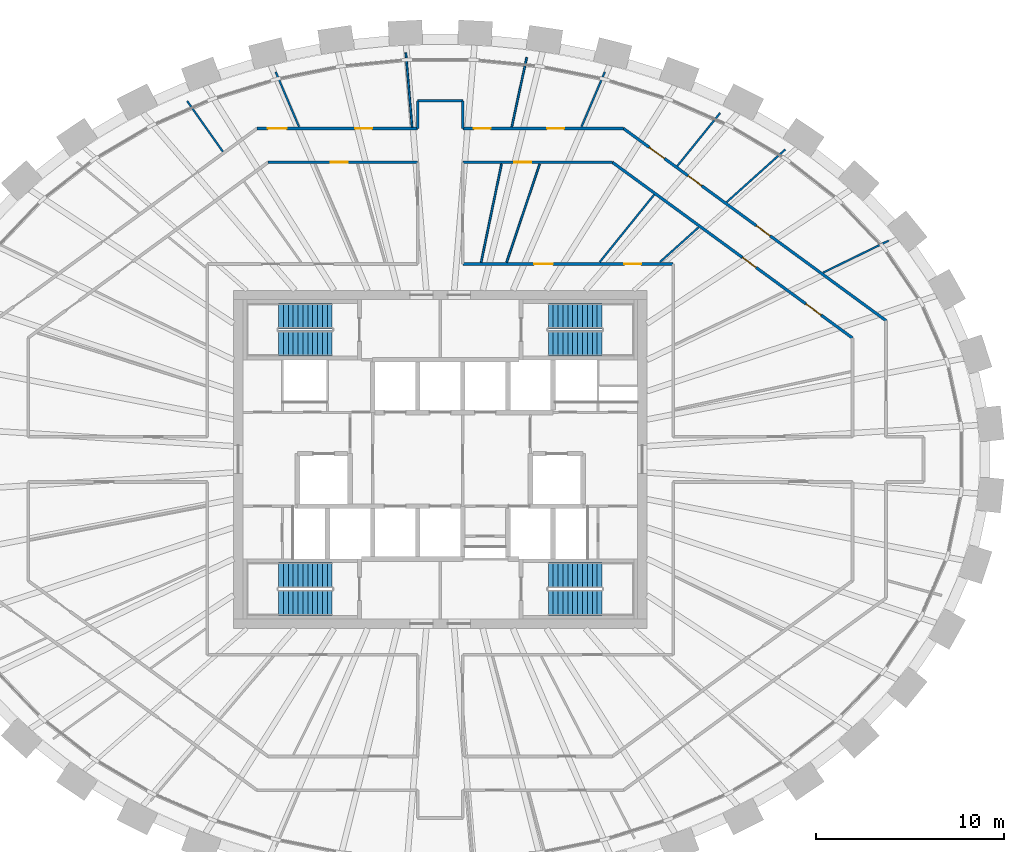
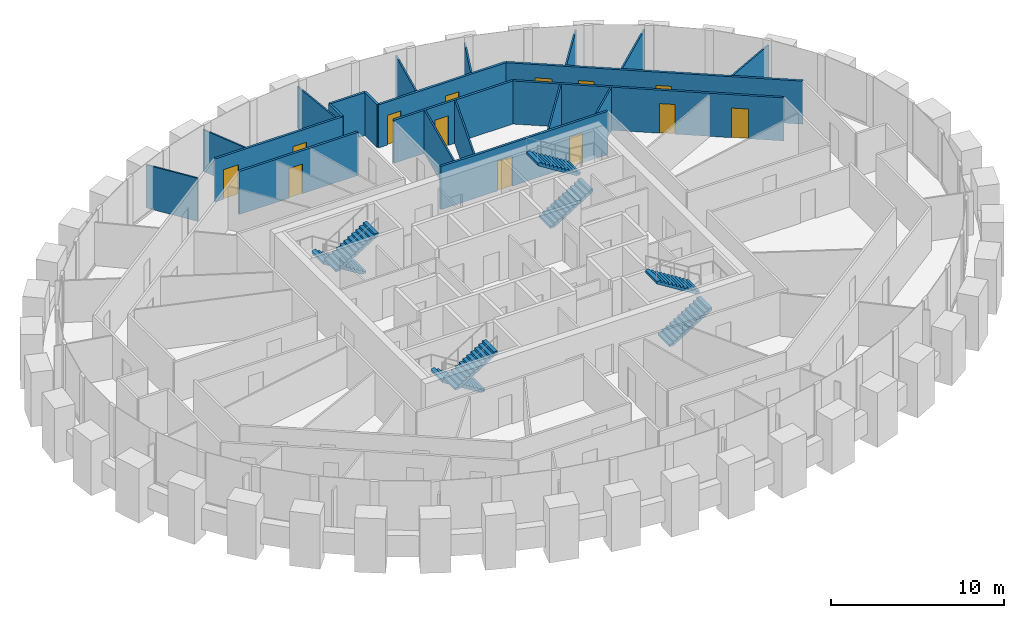
# One storey, part 10 of 11: 22 walls, 13 doors, 8 stair flights, 13 openings, 4 elements without a shape of their own.
"""IFC4 building model written with IfcOpenShell, lengths in metres."""

from ifc_helpers import new_model, si_unit, direction, frame, frame_2d, origin, place, context, subcontext, project, spatial, polyline, rectangle, outline, extrude, source, transform, mapped, material, layer, layer_set, type_object, element, fill, aggregate, save


model = new_model("IFC4")

# Units and contexts
model_context = context("Model", 3, precision=1e-05, world=origin(), true_north=direction((0.0, 1.0)))
body_context = subcontext(model_context, "Body", "Model", "MODEL_VIEW")
ifc_project = project(units=[si_unit("LENGTHUNIT", "METRE"), si_unit("AREAUNIT", "SQUARE_METRE"), si_unit("VOLUMEUNIT", "CUBIC_METRE"), si_unit("PLANEANGLEUNIT", "RADIAN"), si_unit("MASSUNIT", "GRAM", prefix="KILO")], contexts=[model_context])

# Site, building, storey
site_placement = place(None, origin())
site = spatial("IfcSite", under=ifc_project, at=site_placement, CompositionType="ELEMENT")
building_placement = place(site_placement, origin())
building = spatial("IfcBuilding", under=site, at=building_placement, Name="Embergate Tower", CompositionType="ELEMENT")
storey_placement = place(building_placement, frame((0.0, 0.0, 328.60009765625)))
storey = spatial("IfcBuildingStorey", under=building, at=storey_placement, Name="L77", CompositionType="ELEMENT", Elevation=328.60009765625)

# Wall, openings, doors
ifc_material_1 = material(Name="Corridor wall dry-lined 150")
ifc_layer_1 = layer(ifc_material_1, 0.14990234375)
ifc_layer_set_1 = layer_set([ifc_layer_1], Name="Corridor wall dry-lined 150")
wall_type_1 = type_object("IfcWallType", Name="Corridor wall dry-lined 150", PredefinedType="PARTITIONING", material=ifc_layer_set_1)
shared_shape_1 = source(origin(), body_context, "Body", "SweptSolid", [
    extrude(rectangle(XDim=17.3251953125, YDim=0.14990234375, at=frame_2d((8.66259765625, 0.0))), origin(), (0.0, 0.0, 1.0), 3.0498046875),
])
wall_1_placement = place(storey_placement, frame((9.751953125, 17.611083984375, 0.0), z_axis=(0.0, 0.0, 1.0), x_axis=(0.806969554432, -0.590593039427, 0.0)))
wall_1 = element("IfcWall", 1, at=wall_1_placement, inside=storey, type_object=wall_type_1, Name="IP-2 wall", PredefinedType="PARTITIONING", context=body_context, shape_type="MappedRepresentation", body=[
    mapped(shared_shape_1, transform((0.0, 0.0, 0.0))),
])
shared_shape_2 = source(origin(), body_context, "Body", "SweptSolid", [
    extrude(rectangle(XDim=0.89990234375, YDim=2.10009765625, at=frame_2d((0.449951171875, 1.050048828125))), frame((0.0, 0.0849609375, 0.0), z_axis=(0.0, -1.0, 0.0), x_axis=(1.0, 0.0, 0.0)), (0.0, 0.0, 1.0), 0.169921875),
])
opening_1_placement = place(wall_1_placement, frame((8.767578125, 0.0, 0.0)))
opening_1 = element("IfcOpeningElement", 2, at=opening_1_placement, cuts=wall_1, Name="Opening IF-1c", PredefinedType="OPENING", context=body_context, shape_type="MappedRepresentation", body=[
    mapped(shared_shape_2, transform((0.0, 0.0, 0.0))),
])
opening_2_placement = place(wall_1_placement, frame((4.255615234375, 0.0, 0.0)))
opening_2 = element("IfcOpeningElement", 3, at=opening_2_placement, cuts=wall_1, Name="Opening IF-1c", PredefinedType="OPENING", context=body_context, shape_type="MappedRepresentation", body=[
    mapped(shared_shape_2, transform((0.0, 0.0, 0.0))),
])
shared_shape_3 = source(origin(), body_context, "Body", "SweptSolid", [
    extrude(rectangle(XDim=1.0, YDim=2.10009765625, at=frame_2d((0.5, 1.050048828125))), frame((0.0, 0.0849609375, 0.0), z_axis=(0.0, -1.0, 0.0), x_axis=(1.0, 0.0, 0.0)), (0.0, 0.0, 1.0), 0.169921875),
])
opening_3_placement = place(wall_1_placement, frame((1.69970703125, 0.0, 0.0)))
opening_3 = element("IfcOpeningElement", 4, at=opening_3_placement, cuts=wall_1, Name="Opening ID-2", PredefinedType="OPENING", context=body_context, shape_type="MappedRepresentation", body=[
    mapped(shared_shape_3, transform((0.0, 0.0, 0.0))),
])
ifc_material_2 = material(Name="Escape fire door 900")
door_type_1 = type_object("IfcDoorType", Name="Escape fire door 900", OperationType="SINGLE_SWING_LEFT", PredefinedType="DOOR", material=ifc_material_2)
shared_shape_4 = source(origin(), body_context, "Body", "SweptSolid", [
    extrude(rectangle(XDim=0.89990234375, YDim=2.10009765625, at=frame_2d((0.449951171875, 1.050048828125))), frame((0.0, 0.02490234375, 0.0), z_axis=(0.0, -1.0, 0.0), x_axis=(1.0, 0.0, 0.0)), (0.0, 0.0, 1.0), 0.050048828125),
])
door_1_placement = place(opening_1_placement, origin())
door_1 = element("IfcDoor", 5, at=door_1_placement, inside=storey, type_object=door_type_1, Name="IF-1 door", OperationType="SINGLE_SWING_LEFT", OverallHeight=2.10009765625, OverallWidth=0.89990234375, PredefinedType="DOOR", context=body_context, shape_type="MappedRepresentation", body=[
    mapped(shared_shape_4, transform((0.0, 0.0, 0.0))),
])
fill(opening_1, door_1)
door_2_placement = place(opening_2_placement, origin())
door_2 = element("IfcDoor", 6, at=door_2_placement, inside=storey, type_object=door_type_1, Name="IF-1 door", OperationType="SINGLE_SWING_LEFT", OverallHeight=2.10009765625, OverallWidth=0.89990234375, PredefinedType="DOOR", context=body_context, shape_type="MappedRepresentation", body=[
    mapped(shared_shape_4, transform((0.0, 0.0, 0.0))),
])
fill(opening_2, door_2)
ifc_material_3 = material(Name="Interior door 1000")
door_type_2 = type_object("IfcDoorType", Name="Interior door 1000", OperationType="SINGLE_SWING_LEFT", PredefinedType="DOOR", material=ifc_material_3)
shared_shape_5 = source(origin(), body_context, "Body", "SweptSolid", [
    extrude(rectangle(XDim=1.0, YDim=2.10009765625, at=frame_2d((0.5, 1.050048828125))), frame((0.0, 0.02490234375, 0.0), z_axis=(0.0, -1.0, 0.0), x_axis=(1.0, 0.0, 0.0)), (0.0, 0.0, 1.0), 0.050048828125),
])
door_3_placement = place(opening_3_placement, origin())
door_3 = element("IfcDoor", 7, at=door_3_placement, inside=storey, type_object=door_type_2, Name="ID-2 door", OperationType="SINGLE_SWING_LEFT", OverallHeight=2.10009765625, OverallWidth=1.0, PredefinedType="DOOR", context=body_context, shape_type="MappedRepresentation", body=[
    mapped(shared_shape_5, transform((0.0, 0.0, 0.0))),
])
fill(opening_3, door_3)

shared_shape_6 = source(origin(), body_context, "Body", "SweptSolid", [
    extrude(rectangle(XDim=15.82470703125, YDim=0.14990234375, at=frame_2d((7.912353515625, 0.0))), origin(), (0.0, 0.0, 1.0), 3.0498046875),
])
wall_2_placement = place(storey_placement, frame((9.1630859375, 15.81103515625, 0.0), z_axis=(0.0, 0.0, 1.0), x_axis=(0.80696917181, -0.590593562231, 0.0)))
wall_2 = element("IfcWall", 8, at=wall_2_placement, inside=storey, type_object=wall_type_1, Name="IP-2 wall", PredefinedType="PARTITIONING", context=body_context, shape_type="MappedRepresentation", body=[
    mapped(shared_shape_6, transform((0.0, 0.0, 0.0))),
])
opening_4_placement = place(wall_2_placement, frame((12.764892578125, 0.0, 0.0)))
opening_4 = element("IfcOpeningElement", 9, at=opening_4_placement, cuts=wall_2, Name="Opening ID-2", PredefinedType="OPENING", context=body_context, shape_type="MappedRepresentation", body=[
    mapped(shared_shape_3, transform((0.0, 0.0, 0.0))),
])
opening_5_placement = place(wall_2_placement, frame((8.576904296875, 0.0, 0.0)))
opening_5 = element("IfcOpeningElement", 10, at=opening_5_placement, cuts=wall_2, Name="Opening IF-1c", PredefinedType="OPENING", context=body_context, shape_type="MappedRepresentation", body=[
    mapped(shared_shape_2, transform((0.0, 0.0, 0.0))),
])
door_4_placement = place(opening_5_placement, origin())
door_4 = element("IfcDoor", 11, at=door_4_placement, inside=storey, type_object=door_type_1, Name="IF-1 door", OperationType="SINGLE_SWING_LEFT", OverallHeight=2.10009765625, OverallWidth=0.89990234375, PredefinedType="DOOR", context=body_context, shape_type="MappedRepresentation", body=[
    mapped(shared_shape_4, transform((0.0, 0.0, 0.0))),
])
fill(opening_5, door_4)
door_5_placement = place(opening_4_placement, origin())
door_5 = element("IfcDoor", 12, at=door_5_placement, inside=storey, type_object=door_type_2, Name="ID-2 door", OperationType="SINGLE_SWING_RIGHT", OverallHeight=2.10009765625, OverallWidth=1.0, PredefinedType="DOOR", context=body_context, shape_type="MappedRepresentation", body=[
    mapped(shared_shape_5, transform((0.0, 0.0, 0.0))),
])
fill(opening_4, door_5)

shared_shape_7 = source(origin(), body_context, "Body", "SweptSolid", [
    extrude(rectangle(XDim=11.199951171875, YDim=0.14990234375, at=frame_2d((5.60009765625, 0.0))), origin(), (0.0, 0.0, 1.0), 3.0498046875),
])
wall_3_placement = place(storey_placement, frame((12.39990234375, 10.39990234375, 0.0), z_axis=(0.0, 0.0, 1.0), x_axis=(-1.0, 0.0, 0.0)))
wall_3 = element("IfcWall", 13, at=wall_3_placement, inside=storey, type_object=wall_type_1, Name="IP-2 wall", PredefinedType="PARTITIONING", context=body_context, shape_type="MappedRepresentation", body=[
    mapped(shared_shape_7, transform((0.0, 0.0, 0.0))),
])
opening_6_placement = place(wall_3_placement, frame((1.705078125, 0.0, 0.0)))
opening_6 = element("IfcOpeningElement", 14, at=opening_6_placement, cuts=wall_3, Name="Opening IF-1c", PredefinedType="OPENING", context=body_context, shape_type="MappedRepresentation", body=[
    mapped(shared_shape_2, transform((0.0, 0.0, 0.0))),
])
opening_7_placement = place(wall_3_placement, frame((6.410888671875, 0.0, 0.0)))
opening_7 = element("IfcOpeningElement", 15, at=opening_7_placement, cuts=wall_3, Name="Opening ID-2", PredefinedType="OPENING", context=body_context, shape_type="MappedRepresentation", body=[
    mapped(shared_shape_3, transform((0.0, 0.0, 0.0))),
])
door_6_placement = place(opening_6_placement, origin())
door_6 = element("IfcDoor", 16, at=door_6_placement, inside=storey, type_object=door_type_1, Name="IF-1 door", OperationType="SINGLE_SWING_RIGHT", OverallHeight=2.10009765625, OverallWidth=0.89990234375, PredefinedType="DOOR", context=body_context, shape_type="MappedRepresentation", body=[
    mapped(shared_shape_4, transform((0.0, 0.0, 0.0))),
])
fill(opening_6, door_6)
door_7_placement = place(opening_7_placement, origin())
door_7 = element("IfcDoor", 17, at=door_7_placement, inside=storey, type_object=door_type_2, Name="ID-2 door", OperationType="SINGLE_SWING_RIGHT", OverallHeight=2.10009765625, OverallWidth=1.0, PredefinedType="DOOR", context=body_context, shape_type="MappedRepresentation", body=[
    mapped(shared_shape_5, transform((0.0, 0.0, 0.0))),
])
fill(opening_7, door_7)

shared_shape_8 = source(origin(), body_context, "Body", "SweptSolid", [
    extrude(rectangle(XDim=8.552001953125, YDim=0.14990234375, at=frame_2d((4.27587890625, 0.0))), origin(), (0.0, 0.0, 1.0), 3.0498046875),
])
wall_4_placement = place(storey_placement, frame((9.751953125, 17.611083984375, 0.0), z_axis=(0.0, 0.0, 1.0), x_axis=(-1.0, 0.0, 0.0)))
wall_4 = element("IfcWall", 18, at=wall_4_placement, inside=storey, type_object=wall_type_1, Name="IP-2 wall", PredefinedType="PARTITIONING", context=body_context, shape_type="MappedRepresentation", body=[
    mapped(shared_shape_8, transform((0.0, 0.0, 0.0))),
])
opening_8_placement = place(wall_4_placement, frame((3.163818359375, 0.0, 0.0)))
opening_8 = element("IfcOpeningElement", 19, at=opening_8_placement, cuts=wall_4, Name="Opening IF-1c", PredefinedType="OPENING", context=body_context, shape_type="MappedRepresentation", body=[
    mapped(shared_shape_2, transform((0.0, 0.0, 0.0))),
])
opening_9_placement = place(wall_4_placement, frame((7.06884765625, 0.0, 0.0)))
opening_9 = element("IfcOpeningElement", 20, at=opening_9_placement, cuts=wall_4, Name="Opening IF-1c", PredefinedType="OPENING", context=body_context, shape_type="MappedRepresentation", body=[
    mapped(shared_shape_2, transform((0.0, 0.0, 0.0))),
])
door_8_placement = place(opening_8_placement, origin())
door_8 = element("IfcDoor", 21, at=door_8_placement, inside=storey, type_object=door_type_1, Name="IF-1 door", OperationType="SINGLE_SWING_RIGHT", OverallHeight=2.10009765625, OverallWidth=0.89990234375, PredefinedType="DOOR", context=body_context, shape_type="MappedRepresentation", body=[
    mapped(shared_shape_4, transform((0.0, 0.0, 0.0))),
])
fill(opening_8, door_8)
door_9_placement = place(opening_9_placement, origin())
door_9 = element("IfcDoor", 22, at=door_9_placement, inside=storey, type_object=door_type_1, Name="IF-1 door", OperationType="SINGLE_SWING_RIGHT", OverallHeight=2.10009765625, OverallWidth=0.89990234375, PredefinedType="DOOR", context=body_context, shape_type="MappedRepresentation", body=[
    mapped(shared_shape_4, transform((0.0, 0.0, 0.0))),
])
fill(opening_9, door_9)

ifc_material_4 = material(Name="Corridor wall dry-lined 150 wet")
ifc_layer_2 = layer(ifc_material_4, 0.14990234375)
ifc_layer_set_2 = layer_set([ifc_layer_2], Name="Corridor wall dry-lined 150 wet")
wall_type_2 = type_object("IfcWallType", Name="Corridor wall dry-lined 150 wet", PredefinedType="PLUMBINGWALL", material=ifc_layer_set_2)
wall_5_placement = place(storey_placement, frame((-9.751953125, 17.611083984375, 0.0), z_axis=(0.0, 0.0, 1.0), x_axis=(1.0, 0.0, 0.0)))
wall_5 = element("IfcWall", 23, at=wall_5_placement, inside=storey, type_object=wall_type_2, Name="IP-2 wall", PredefinedType="PLUMBINGWALL", context=body_context, shape_type="MappedRepresentation", body=[
    mapped(shared_shape_8, transform((0.0, 0.0, 0.0))),
])
opening_10_placement = place(wall_5_placement, frame((5.2197265625, 0.0, 0.0)))
opening_10 = element("IfcOpeningElement", 24, at=opening_10_placement, cuts=wall_5, Name="Opening IF-1c", PredefinedType="OPENING", context=body_context, shape_type="MappedRepresentation", body=[
    mapped(shared_shape_2, transform((0.0, 0.0, 0.0))),
])
opening_11_placement = place(wall_5_placement, frame((0.576904296875, 0.0, 0.0)))
opening_11 = element("IfcOpeningElement", 25, at=opening_11_placement, cuts=wall_5, Name="Opening ID-2", PredefinedType="OPENING", context=body_context, shape_type="MappedRepresentation", body=[
    mapped(shared_shape_3, transform((0.0, 0.0, 0.0))),
])
door_10_placement = place(opening_10_placement, origin())
door_10 = element("IfcDoor", 26, at=door_10_placement, inside=storey, type_object=door_type_1, Name="IF-1 door", OperationType="SINGLE_SWING_LEFT", OverallHeight=2.10009765625, OverallWidth=0.89990234375, PredefinedType="DOOR", context=body_context, shape_type="MappedRepresentation", body=[
    mapped(shared_shape_4, transform((0.0, 0.0, 0.0))),
])
fill(opening_10, door_10)
door_11_placement = place(opening_11_placement, origin())
door_11 = element("IfcDoor", 27, at=door_11_placement, inside=storey, type_object=door_type_2, Name="ID-2 door", OperationType="SINGLE_SWING_RIGHT", OverallHeight=2.10009765625, OverallWidth=1.0, PredefinedType="DOOR", context=body_context, shape_type="MappedRepresentation", body=[
    mapped(shared_shape_5, transform((0.0, 0.0, 0.0))),
])
fill(opening_11, door_11)

# Walls
shared_shape_9 = source(origin(), body_context, "Body", "SweptSolid", [
    extrude(rectangle(XDim=1.476806640625, YDim=0.14990234375, at=frame_2d((0.73828125, 0.0))), origin(), (0.0, 0.0, 1.0), 3.0498046875),
])
for number, where, z_axis, x_axis, name in (
    (28, (-1.199951171875, 17.611083984375, 0.0), (0.0, 0.0, 1.0), (0.0, 1.0, 0.0), "IP-2 wall"),
    (29, (1.199951171875, 19.087890625, 0.0), (0.0, 0.0, 1.0), (0.0, -1.0, 0.0), "IP-2 wall"),
):
    element("IfcWall", number, at=place(storey_placement, frame(where, z_axis=z_axis, x_axis=x_axis)), inside=storey, type_object=wall_type_2, Name=name, PredefinedType="PLUMBINGWALL", context=body_context, shape_type="MappedRepresentation", body=[
        mapped(shared_shape_9, transform((0.0, 0.0, 0.0))),
    ])
shared_shape_10 = source(origin(), body_context, "Body", "SweptSolid", [
    extrude(rectangle(XDim=2.39990234375, YDim=0.14990234375, at=frame_2d((1.199951171875, 0.0))), origin(), (0.0, 0.0, 1.0), 3.0498046875),
])
wall_6_placement = place(storey_placement, frame((-1.199951171875, 19.087890625, 0.0), z_axis=(0.0, 0.0, 1.0), x_axis=(1.0, 0.0, 0.0)))
element("IfcWall", 30, at=wall_6_placement, inside=storey, type_object=wall_type_2, Name="IP-2 wall", PredefinedType="PLUMBINGWALL", context=body_context, shape_type="MappedRepresentation", body=[
    mapped(shared_shape_10, transform((0.0, 0.0, 0.0))),
])

# Wall, opening, door
shared_shape_11 = source(origin(), body_context, "Body", "SweptSolid", [
    extrude(rectangle(XDim=7.963134765625, YDim=0.14990234375, at=frame_2d((3.9814453125, 0.0))), origin(), (0.0, 0.0, 1.0), 3.0498046875),
])
wall_7_placement = place(storey_placement, frame((1.199951171875, 15.81103515625, 0.0), z_axis=(0.0, 0.0, 1.0), x_axis=(1.0, 0.0, 0.0)))
wall_7 = element("IfcWall", 31, at=wall_7_placement, inside=storey, type_object=wall_type_1, Name="IP-2 wall", PredefinedType="PARTITIONING", context=body_context, shape_type="MappedRepresentation", body=[
    mapped(shared_shape_11, transform((0.0, 0.0, 0.0))),
])
opening_12_placement = place(wall_7_placement, frame((2.73095703125, 0.0, 0.0)))
opening_12 = element("IfcOpeningElement", 32, at=opening_12_placement, cuts=wall_7, Name="Opening IF-1c", PredefinedType="OPENING", context=body_context, shape_type="MappedRepresentation", body=[
    mapped(shared_shape_2, transform((0.0, 0.0, 0.0))),
])
door_12_placement = place(opening_12_placement, origin())
door_12 = element("IfcDoor", 33, at=door_12_placement, inside=storey, type_object=door_type_1, Name="IF-1 door", OperationType="SINGLE_SWING_LEFT", OverallHeight=2.10009765625, OverallWidth=0.89990234375, PredefinedType="DOOR", context=body_context, shape_type="MappedRepresentation", body=[
    mapped(shared_shape_4, transform((0.0, 0.0, 0.0))),
])
fill(opening_12, door_12)

wall_8_placement = place(storey_placement, frame((-1.199951171875, 15.81103515625, 0.0), z_axis=(0.0, 0.0, 1.0), x_axis=(-1.0, 0.0, 0.0)))
wall_8 = element("IfcWall", 34, at=wall_8_placement, inside=storey, type_object=wall_type_2, Name="IP-2 wall", PredefinedType="PLUMBINGWALL", context=body_context, shape_type="MappedRepresentation", body=[
    mapped(shared_shape_11, transform((0.0, 0.0, 0.0))),
])
opening_13_placement = place(wall_8_placement, frame((3.73193359375, 0.0, 0.0)))
opening_13 = element("IfcOpeningElement", 35, at=opening_13_placement, cuts=wall_8, Name="Opening IF-1c", PredefinedType="OPENING", context=body_context, shape_type="MappedRepresentation", body=[
    mapped(shared_shape_2, transform((0.0, 0.0, 0.0))),
])
door_13_placement = place(opening_13_placement, origin())
door_13 = element("IfcDoor", 36, at=door_13_placement, inside=storey, type_object=door_type_1, Name="IF-1 door", OperationType="SINGLE_SWING_RIGHT", OverallHeight=2.10009765625, OverallWidth=0.89990234375, PredefinedType="DOOR", context=body_context, shape_type="MappedRepresentation", body=[
    mapped(shared_shape_4, transform((0.0, 0.0, 0.0))),
])
fill(opening_13, door_13)

# Walls
ifc_material_5 = material(Name="Partition dry-lined 100")
ifc_layer_3 = layer(ifc_material_5, 0.10009765625)
ifc_layer_set_3 = layer_set([ifc_layer_3], Name="Partition dry-lined 100")
wall_type_3 = type_object("IfcWallType", Name="Partition dry-lined 100", PredefinedType="PARTITIONING", material=ifc_layer_set_3)
shared_shape_12 = source(origin(), body_context, "Body", "SweptSolid", [
    extrude(rectangle(XDim=3.877685546875, YDim=0.10009765625, at=frame_2d((1.93896484375, 0.0))), origin(), (0.0, 0.0, 1.0), 2.949951171875),
])
wall_9_placement = place(storey_placement, frame((20.389892578125, 9.947021484375, 0.0), z_axis=(0.0, 0.0, 1.0), x_axis=(0.898778732273, 0.438402543805, 0.0)))
element("IfcWall", 37, at=wall_9_placement, inside=storey, type_object=wall_type_3, Name="IP-1 wall", PredefinedType="PARTITIONING", context=body_context, shape_type="MappedRepresentation", body=[
    mapped(shared_shape_12, transform((0.0, 0.0, 0.0))),
])
shared_shape_13 = source(origin(), body_context, "Body", "SweptSolid", [
    extrude(rectangle(XDim=4.192138671875, YDim=0.10009765625, at=frame_2d((2.09619140625, 0.0))), origin(), (0.0, 0.0, 1.0), 3.0498046875),
])
wall_10_placement = place(storey_placement, frame((15.2470703125, 13.695068359375, 0.0), z_axis=(0.0, 0.0, 1.0), x_axis=(0.744003214363, 0.668176037447, 0.0)))
element("IfcWall", 38, at=wall_10_placement, inside=storey, type_object=wall_type_3, Name="IP-1 wall", PredefinedType="PARTITIONING", context=body_context, shape_type="MappedRepresentation", body=[
    mapped(shared_shape_13, transform((0.0, 0.0, 0.0))),
])
shared_shape_14 = source(origin(), body_context, "Body", "SweptSolid", [
    extrude(rectangle(XDim=3.6328125, YDim=0.10009765625, at=frame_2d((1.81640625, 0.0))), origin(), (0.0, 0.0, 1.0), 3.0498046875),
])
wall_11_placement = place(storey_placement, frame((12.613037109375, 15.610107421875, 0.0), z_axis=(0.0, 0.0, 1.0), x_axis=(0.628416881231, 0.777876740482, 0.0)))
element("IfcWall", 39, at=wall_11_placement, inside=storey, type_object=wall_type_3, Name="IP-1 wall", PredefinedType="PARTITIONING", context=body_context, shape_type="MappedRepresentation", body=[
    mapped(shared_shape_14, transform((0.0, 0.0, 0.0))),
])
ifc_material_6 = material(Name="Partition dry-lined 100 wet")
ifc_layer_4 = layer(ifc_material_6, 0.10009765625)
ifc_layer_set_4 = layer_set([ifc_layer_4], Name="Partition dry-lined 100 wet")
wall_type_4 = type_object("IfcWallType", Name="Partition dry-lined 100 wet", PredefinedType="PLUMBINGWALL", material=ifc_layer_set_4)
shared_shape_15 = source(origin(), body_context, "Body", "SweptSolid", [
    extrude(rectangle(XDim=3.1669921875, YDim=0.10009765625, at=frame_2d((1.58349609375, 0.0))), origin(), (0.0, 0.0, 1.0), 2.949951171875),
])
for number, where, z_axis, x_axis, name in (
    (40, (7.52099609375, 17.7060546875, 0.0), (0.0, 0.0, 1.0), (0.390912099154, 0.920428014967, 0.0), "IP-1 wall"),
    (41, (-8.759033203125, 20.62109375, 0.0), (0.0, 0.0, 1.0), (0.390912099154, -0.920428014967, 0.0), "IP-1 wall"),
):
    element("IfcWall", number, at=place(storey_placement, frame(where, z_axis=z_axis, x_axis=x_axis)), inside=storey, type_object=wall_type_4, Name=name, PredefinedType="PLUMBINGWALL", context=body_context, shape_type="MappedRepresentation", body=[
        mapped(shared_shape_15, transform((0.0, 0.0, 0.0))),
    ])
shared_shape_16 = source(origin(), body_context, "Body", "SweptSolid", [
    extrude(rectangle(XDim=2.7490234375, YDim=0.10009765625, at=frame_2d((1.37451171875, 0.0))), origin(), (0.0, 0.0, 1.0), 3.0498046875),
])
wall_12_placement = place(storey_placement, frame((11.7041015625, 10.511962890625, 0.0), z_axis=(0.0, 0.0, 1.0), x_axis=(0.743885605378, 0.66830696997, 0.0)))
element("IfcWall", 42, at=wall_12_placement, inside=storey, type_object=wall_type_3, Name="IP-1 wall", PredefinedType="PARTITIONING", context=body_context, shape_type="MappedRepresentation", body=[
    mapped(shared_shape_16, transform((0.0, 0.0, 0.0))),
])
shared_shape_17 = source(origin(), body_context, "Body", "SweptSolid", [
    extrude(rectangle(XDim=4.60986328125, YDim=0.10009765625, at=frame_2d((2.304931640625, 0.0))), origin(), (0.0, 0.0, 1.0), 3.0498046875),
])
wall_13_placement = place(storey_placement, frame((8.489013671875, 10.506103515625, 0.0), z_axis=(0.0, 0.0, 1.0), x_axis=(0.628420928792, 0.777873470596, 0.0)))
element("IfcWall", 43, at=wall_13_placement, inside=storey, type_object=wall_type_3, Name="IP-1 wall", PredefinedType="PARTITIONING", context=body_context, shape_type="MappedRepresentation", body=[
    mapped(shared_shape_17, transform((0.0, 0.0, 0.0))),
])
shared_shape_18 = source(origin(), body_context, "Body", "SweptSolid", [
    extrude(rectangle(XDim=5.517333984375, YDim=0.10009765625, at=frame_2d((2.7587890625, 0.0))), origin(), (0.0, 0.0, 1.0), 3.0498046875),
])
wall_14_placement = place(storey_placement, frame((3.531005859375, 10.490966796875, 0.0), z_axis=(0.0, 0.0, 1.0), x_axis=(0.319000911792, 0.947754408207, 0.0)))
element("IfcWall", 44, at=wall_14_placement, inside=storey, type_object=wall_type_4, Name="IP-1 wall", PredefinedType="PLUMBINGWALL", context=body_context, shape_type="MappedRepresentation", body=[
    mapped(shared_shape_18, transform((0.0, 0.0, 0.0))),
])
shared_shape_19 = source(origin(), body_context, "Body", "SweptSolid", [
    extrude(rectangle(XDim=3.782470703125, YDim=0.10009765625, at=frame_2d((1.89111328125, 0.0))), origin(), (0.0, 0.0, 1.0), 3.0498046875),
])
wall_15_placement = place(storey_placement, frame((3.806884765625, 17.697021484375, 0.0), z_axis=(0.0, 0.0, 1.0), x_axis=(0.210221078053, 0.977653874509, 0.0)))
element("IfcWall", 45, at=wall_15_placement, inside=storey, type_object=wall_type_4, Name="IP-1 wall", PredefinedType="PLUMBINGWALL", context=body_context, shape_type="MappedRepresentation", body=[
    mapped(shared_shape_19, transform((0.0, 0.0, 0.0))),
])
shared_shape_20 = source(origin(), body_context, "Body", "SweptSolid", [
    extrude(rectangle(XDim=3.97021484375, YDim=0.10009765625, at=frame_2d((1.985107421875, 0.0))), origin(), (0.0, 0.0, 1.0), 2.949951171875),
])
wall_16_placement = place(storey_placement, frame((-1.498046875, 17.68603515625, 0.0), z_axis=(0.0, 0.0, 1.0), x_axis=(-0.084368569091, 0.996434616294, 0.0)))
element("IfcWall", 46, at=wall_16_placement, inside=storey, type_object=wall_type_4, Name="IP-1 wall", PredefinedType="PLUMBINGWALL", context=body_context, shape_type="MappedRepresentation", body=[
    mapped(shared_shape_20, transform((0.0, 0.0, 0.0))),
])
shared_shape_21 = source(origin(), body_context, "Body", "SweptSolid", [
    extrude(rectangle(XDim=5.352294921875, YDim=0.10009765625, at=frame_2d((2.67626953125, 0.0))), origin(), (0.0, 0.0, 1.0), 3.0498046875),
])
wall_17_placement = place(storey_placement, frame((2.174072265625, 10.485107421875, 0.0), z_axis=(0.0, 0.0, 1.0), x_axis=(0.202892179752, 0.979201084249, 0.0)))
element("IfcWall", 47, at=wall_17_placement, inside=storey, type_object=wall_type_4, Name="IP-1 wall", PredefinedType="PLUMBINGWALL", context=body_context, shape_type="MappedRepresentation", body=[
    mapped(shared_shape_21, transform((0.0, 0.0, 0.0))),
])
shared_shape_22 = source(origin(), body_context, "Body", "SweptSolid", [
    extrude(rectangle(XDim=3.3017578125, YDim=0.10009765625, at=frame_2d((1.65087890625, 0.0))), origin(), (0.0, 0.0, 1.0), 3.0498046875),
])
wall_18_placement = place(storey_placement, frame((-11.568115234375, 16.375, 0.0), z_axis=(0.0, 0.0, 1.0), x_axis=(-0.57688638898, 0.816824396189, 0.0)))
element("IfcWall", 48, at=wall_18_placement, inside=storey, type_object=wall_type_3, Name="IP-1 wall", PredefinedType="PARTITIONING", context=body_context, shape_type="MappedRepresentation", body=[
    mapped(shared_shape_22, transform((0.0, 0.0, 0.0))),
])

# Stair, stair flights
ifc_material_7 = material(Name="Exit stair")
stair_type = type_object("IfcStairType", Name="Exit stair", PredefinedType="HALF_TURN_STAIR", material=ifc_material_7)
stair_1_placement = place(storey_placement, origin())
stair_1 = element("IfcStair", 49, at=stair_1_placement, inside=storey, type_object=stair_type, Name="L77 Exit stair 1", PredefinedType="HALF_TURN_STAIR")
ifc_material_8 = material(Name="Concrete C40", Category="concrete")
stair_flight_type = type_object("IfcStairFlightType", Name="Stair flight reinforced concrete", PredefinedType="STRAIGHT", material=ifc_material_8)
shared_shape_23 = source(origin(), body_context, "Body", "SweptSolid", [
    extrude(outline(polyline([(0.0, 0.0), (0.0, 0.16259765625), (0.260009765625, 0.16259765625), (0.260009765625, 0.324951171875), (0.52001953125, 0.324951171875), (0.52001953125, 0.487548828125), (0.780029296875, 0.487548828125), (0.780029296875, 0.64990234375), (1.0400390625, 0.64990234375), (1.0400390625, 0.8125), (1.300048828125, 0.8125), (1.300048828125, 0.97509765625), (1.56005859375, 0.97509765625), (1.56005859375, 1.137451171875), (1.820068359375, 1.137451171875), (1.820068359375, 1.300048828125), (2.080078125, 1.300048828125), (2.080078125, 1.46240234375), (2.340087890625, 1.46240234375), (2.340087890625, 1.625), (2.60009765625, 1.625), (2.60009765625, 1.78759765625), (2.860107421875, 1.78759765625), (2.860107421875, 1.949951171875), (2.860107421875, 1.61083984375), (0.28271484375, 0.0), (0.0, 0.0)])), frame((0.0, 0.675048828125, 0.0), z_axis=(0.0, -1.0, 0.0), x_axis=(1.0, 0.0, 0.0)), (0.0, 0.0, 1.0), 1.35009765625),
])
stair_flight_1_placement = place(storey_placement, frame((-5.75, 7.625, 0.0), z_axis=(0.0, 0.0, 1.0), x_axis=(-1.0, 0.0, 0.0)))
stair_flight_1 = element("IfcStairFlight", 50, at=stair_flight_1_placement, type_object=stair_flight_type, Name="ST1 flight 1", NumberOfRisers=12, NumberOfTreads=11, PredefinedType="STRAIGHT", RiserHeight=0.1625, TreadLength=0.26, context=body_context, shape_type="MappedRepresentation", body=[
    mapped(shared_shape_23, transform((0.0, 0.0, 0.0))),
])
stair_flight_2_placement = place(storey_placement, frame((-8.610107421875, 6.175048828125, 1.949951171875), z_axis=(0.0, 0.0, 1.0), x_axis=(1.0, 0.0, 0.0)))
stair_flight_2 = element("IfcStairFlight", 51, at=stair_flight_2_placement, type_object=stair_flight_type, Name="ST1 flight 2", NumberOfRisers=12, NumberOfTreads=11, PredefinedType="STRAIGHT", RiserHeight=0.1625, TreadLength=0.26, context=body_context, shape_type="MappedRepresentation", body=[
    mapped(shared_shape_23, transform((0.0, 0.0, 0.0))),
])
aggregate(stair_1, [stair_flight_1, stair_flight_2])

stair_2_placement = place(storey_placement, origin())
stair_2 = element("IfcStair", 52, at=stair_2_placement, inside=storey, type_object=stair_type, Name="L77 Exit stair 2", PredefinedType="HALF_TURN_STAIR")
stair_flight_3_placement = place(storey_placement, frame((5.75, 6.175048828125, 0.0), z_axis=(0.0, 0.0, 1.0), x_axis=(1.0, 0.0, 0.0)))
stair_flight_3 = element("IfcStairFlight", 53, at=stair_flight_3_placement, type_object=stair_flight_type, Name="ST2 flight 1", NumberOfRisers=12, NumberOfTreads=11, PredefinedType="STRAIGHT", RiserHeight=0.1625, TreadLength=0.26, context=body_context, shape_type="MappedRepresentation", body=[
    mapped(shared_shape_23, transform((0.0, 0.0, 0.0))),
])
stair_flight_4_placement = place(storey_placement, frame((8.610107421875, 7.625, 1.949951171875), z_axis=(0.0, 0.0, 1.0), x_axis=(-1.0, 0.0, 0.0)))
stair_flight_4 = element("IfcStairFlight", 54, at=stair_flight_4_placement, type_object=stair_flight_type, Name="ST2 flight 2", NumberOfRisers=12, NumberOfTreads=11, PredefinedType="STRAIGHT", RiserHeight=0.1625, TreadLength=0.26, context=body_context, shape_type="MappedRepresentation", body=[
    mapped(shared_shape_23, transform((0.0, 0.0, 0.0))),
])
aggregate(stair_2, [stair_flight_3, stair_flight_4])

stair_3_placement = place(storey_placement, origin())
stair_3 = element("IfcStair", 55, at=stair_3_placement, inside=storey, type_object=stair_type, Name="L77 Exit stair 3", PredefinedType="HALF_TURN_STAIR")
stair_flight_5_placement = place(storey_placement, frame((-5.75, -6.175048828125, 0.0), z_axis=(0.0, 0.0, 1.0), x_axis=(-1.0, 0.0, 0.0)))
stair_flight_5 = element("IfcStairFlight", 56, at=stair_flight_5_placement, type_object=stair_flight_type, Name="ST3 flight 1", NumberOfRisers=12, NumberOfTreads=11, PredefinedType="STRAIGHT", RiserHeight=0.1625, TreadLength=0.26, context=body_context, shape_type="MappedRepresentation", body=[
    mapped(shared_shape_23, transform((0.0, 0.0, 0.0))),
])
stair_flight_6_placement = place(storey_placement, frame((-8.610107421875, -7.625, 1.949951171875), z_axis=(0.0, 0.0, 1.0), x_axis=(1.0, 0.0, 0.0)))
stair_flight_6 = element("IfcStairFlight", 57, at=stair_flight_6_placement, type_object=stair_flight_type, Name="ST3 flight 2", NumberOfRisers=12, NumberOfTreads=11, PredefinedType="STRAIGHT", RiserHeight=0.1625, TreadLength=0.26, context=body_context, shape_type="MappedRepresentation", body=[
    mapped(shared_shape_23, transform((0.0, 0.0, 0.0))),
])
aggregate(stair_3, [stair_flight_5, stair_flight_6])

stair_4_placement = place(storey_placement, origin())
stair_4 = element("IfcStair", 58, at=stair_4_placement, inside=storey, type_object=stair_type, Name="L77 Exit stair 4", PredefinedType="HALF_TURN_STAIR")
stair_flight_7_placement = place(storey_placement, frame((5.75, -7.625, 0.0), z_axis=(0.0, 0.0, 1.0), x_axis=(1.0, 0.0, 0.0)))
stair_flight_7 = element("IfcStairFlight", 59, at=stair_flight_7_placement, type_object=stair_flight_type, Name="ST4 flight 1", NumberOfRisers=12, NumberOfTreads=11, PredefinedType="STRAIGHT", RiserHeight=0.1625, TreadLength=0.26, context=body_context, shape_type="MappedRepresentation", body=[
    mapped(shared_shape_23, transform((0.0, 0.0, 0.0))),
])
stair_flight_8_placement = place(storey_placement, frame((8.610107421875, -6.175048828125, 1.949951171875), z_axis=(0.0, 0.0, 1.0), x_axis=(-1.0, 0.0, 0.0)))
stair_flight_8 = element("IfcStairFlight", 60, at=stair_flight_8_placement, type_object=stair_flight_type, Name="ST4 flight 2", NumberOfRisers=12, NumberOfTreads=11, PredefinedType="STRAIGHT", RiserHeight=0.1625, TreadLength=0.26, context=body_context, shape_type="MappedRepresentation", body=[
    mapped(shared_shape_23, transform((0.0, 0.0, 0.0))),
])
aggregate(stair_4, [stair_flight_7, stair_flight_8])

save(model, "model.ifc")
